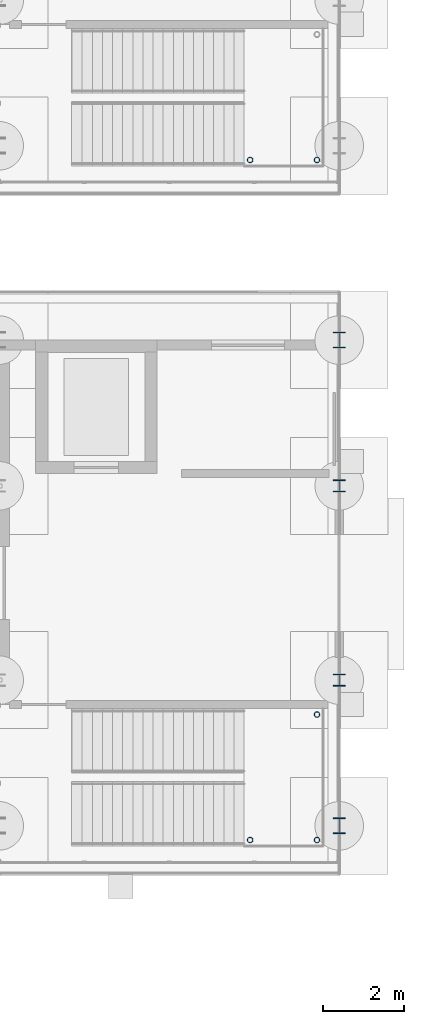
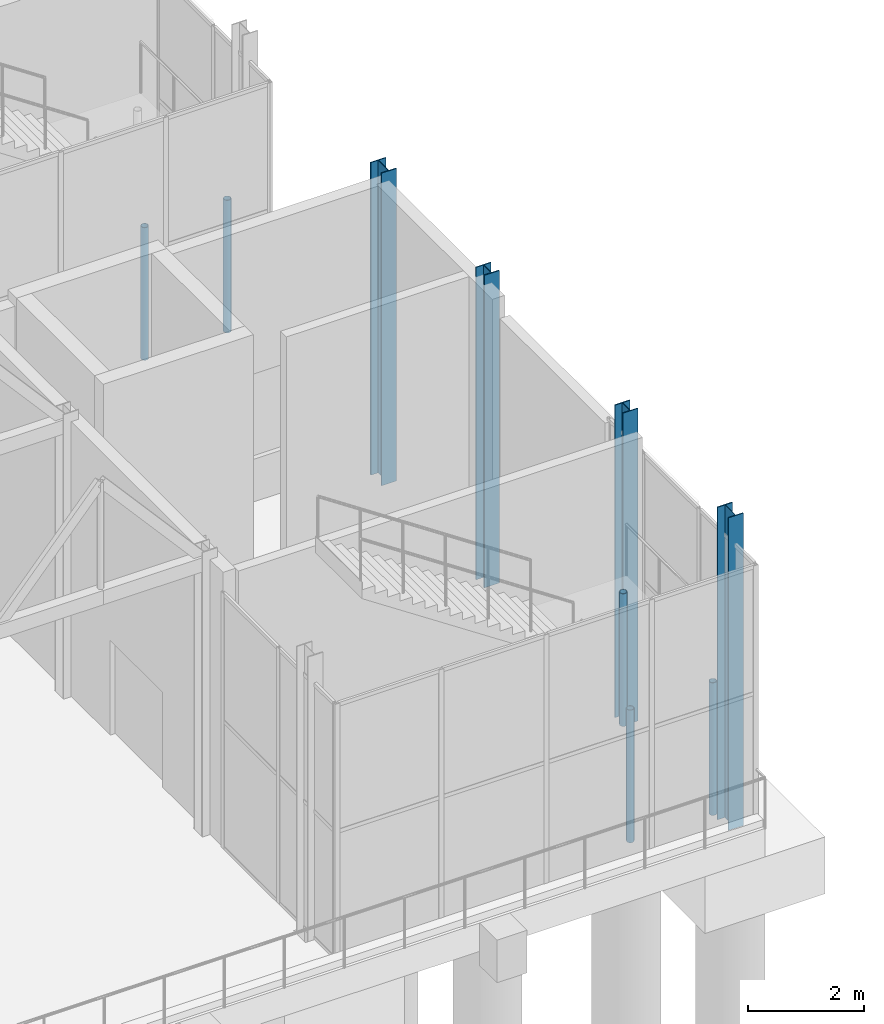
# One storey, part 24 of 212: 9 columns.
"""IFC4 building model written with IfcOpenShell, lengths in metres."""

from ifc_helpers import new_model, si_unit, direction, frame, origin, origin_2d, place, context, subcontext, project, spatial, hollow_circle, i_section, extrude, material, material_profile, profile_set, type_object, element, save


model = new_model("IFC4")

# Units and contexts
model_context = context("Model", 3, precision=1e-05, world=origin(), true_north=direction((0.0, 1.0)))
body_context = subcontext(model_context, "Body", "Model", "MODEL_VIEW")
ifc_project = project(units=[si_unit("LENGTHUNIT", "METRE"), si_unit("AREAUNIT", "SQUARE_METRE"), si_unit("VOLUMEUNIT", "CUBIC_METRE"), si_unit("PLANEANGLEUNIT", "RADIAN"), si_unit("MASSUNIT", "GRAM", prefix="KILO")], contexts=[model_context])

# Site, building, storey
site_placement = place(None, origin())
site = spatial("IfcSite", under=ifc_project, at=site_placement, CompositionType="ELEMENT")
building_placement = place(site_placement, origin())
building = spatial("IfcBuilding", under=site, at=building_placement, Name="Catenary Quay Ferry Terminal", CompositionType="ELEMENT")
storey_placement = place(building_placement, origin())
storey = spatial("IfcBuildingStorey", under=building, at=storey_placement, Name="L00", CompositionType="ELEMENT", Elevation=0.0)

# Columns
ifc_material_1 = material(Name="Steel S355", Category="steel")
ifc_material_profile_1 = material_profile(ifc_material_1, i_section(OverallWidth=0.300048828125, OverallDepth=0.389892578125, WebThickness=0.010986328125, FlangeThickness=0.01904296875, at=origin_2d()), Name="HEA 400")
ifc_profile_set_1 = profile_set([ifc_material_profile_1], Name="Steel S355")
column_type_1 = type_object("IfcColumnType", Name="C7 HEA 400", PredefinedType="COLUMN", material=ifc_profile_set_1)
for number, where, z_axis, x_axis, name in (
    (1, (134.39990234375, 69.60009765625, -0.60009765625), (0.0, 0.0, 1.0), (1.0, 0.0, 0.0), "Column C-BH1Q1 L00"),
    (2, (134.39990234375, 81.60009765625, -0.60009765625), (0.0, 0.0, 1.0), (1.0, 0.0, 0.0), "Column C-BH1Q4 L00"),
):
    element("IfcColumn", number, at=place(storey_placement, frame(where, z_axis=z_axis, x_axis=x_axis)), inside=storey, type_object=column_type_1, Name=name, PredefinedType="COLUMN", context=body_context, shape_type="SweptSolid", body=[
        extrude(i_section(OverallWidth=0.300048828125, OverallDepth=0.389892578125, WebThickness=0.010986328125, FlangeThickness=0.01904296875, at=origin_2d()), origin(), (0.0, 0.0, 1.0), 6.60009765625),
    ])
ifc_material_2 = material(Name="Steel S355", Category="steel")
ifc_material_profile_2 = material_profile(ifc_material_2, i_section(OverallWidth=0.300048828125, OverallDepth=0.300048828125, WebThickness=0.010986328125, FlangeThickness=0.01904296875, at=origin_2d()), Name="HEB 300")
ifc_profile_set_2 = profile_set([ifc_material_profile_2], Name="Steel S355")
column_type_2 = type_object("IfcColumnType", Name="C8 HEB 300", PredefinedType="COLUMN", material=ifc_profile_set_2)
for number, where, z_axis, x_axis, name in (
    (3, (134.39990234375, 73.199951171875, -0.60009765625), (0.0, 0.0, 1.0), (1.0, 0.0, 0.0), "Column C-BH1Q2 L00"),
    (4, (134.39990234375, 78.0, -0.60009765625), (0.0, 0.0, 1.0), (1.0, 0.0, 0.0), "Column C-BH1Q3 L00"),
):
    element("IfcColumn", number, at=place(storey_placement, frame(where, z_axis=z_axis, x_axis=x_axis)), inside=storey, type_object=column_type_2, Name=name, PredefinedType="COLUMN", context=body_context, shape_type="SweptSolid", body=[
        extrude(i_section(OverallWidth=0.300048828125, OverallDepth=0.300048828125, WebThickness=0.010986328125, FlangeThickness=0.01904296875, at=origin_2d()), origin(), (0.0, 0.0, 1.0), 6.60009765625),
    ])
ifc_material_3 = material(Name="Steel S355", Category="steel")
ifc_material_profile_3 = material_profile(ifc_material_3, hollow_circle(Radius=0.06982421875, WallThickness=0.008056640625, at=origin_2d()), Name="CHS 139.7x8")
ifc_profile_set_3 = profile_set([ifc_material_profile_3], Name="Steel S355")
column_type_3 = type_object("IfcColumnType", Name="SP1 CHS 139.7x8", PredefinedType="COLUMN", material=ifc_profile_set_3)
for number, where, z_axis, x_axis, name in (
    (5, (133.85009765625, 69.25, 0.0), (0.0, 0.0, 1.0), (1.0, 0.0, 0.0), "Landing post HB1-L00 1"),
    (6, (133.85009765625, 72.35009765625, 0.0), (0.0, 0.0, 1.0), (1.0, 0.0, 0.0), "Landing post HB1-L00 2"),
    (7, (132.199951171875, 69.25, 0.0), (0.0, 0.0, 1.0), (1.0, 0.0, 0.0), "Landing post HB1-L00 3"),
    (8, (133.85009765625, 86.050048828125, 0.0), (0.0, 0.0, 1.0), (1.0, 0.0, 0.0), "Landing post HB2-L00 1"),
    (9, (132.199951171875, 86.050048828125, 0.0), (0.0, 0.0, 1.0), (1.0, 0.0, 0.0), "Landing post HB2-L00 3"),
):
    element("IfcColumn", number, at=place(storey_placement, frame(where, z_axis=z_axis, x_axis=x_axis)), inside=storey, type_object=column_type_3, Name=name, PredefinedType="COLUMN", context=body_context, shape_type="SweptSolid", body=[
        extrude(hollow_circle(Radius=0.06982421875, WallThickness=0.008056640625, at=origin_2d()), origin(), (0.0, 0.0, 1.0), 2.800048828125),
    ])

save(model, "model.ifc")
